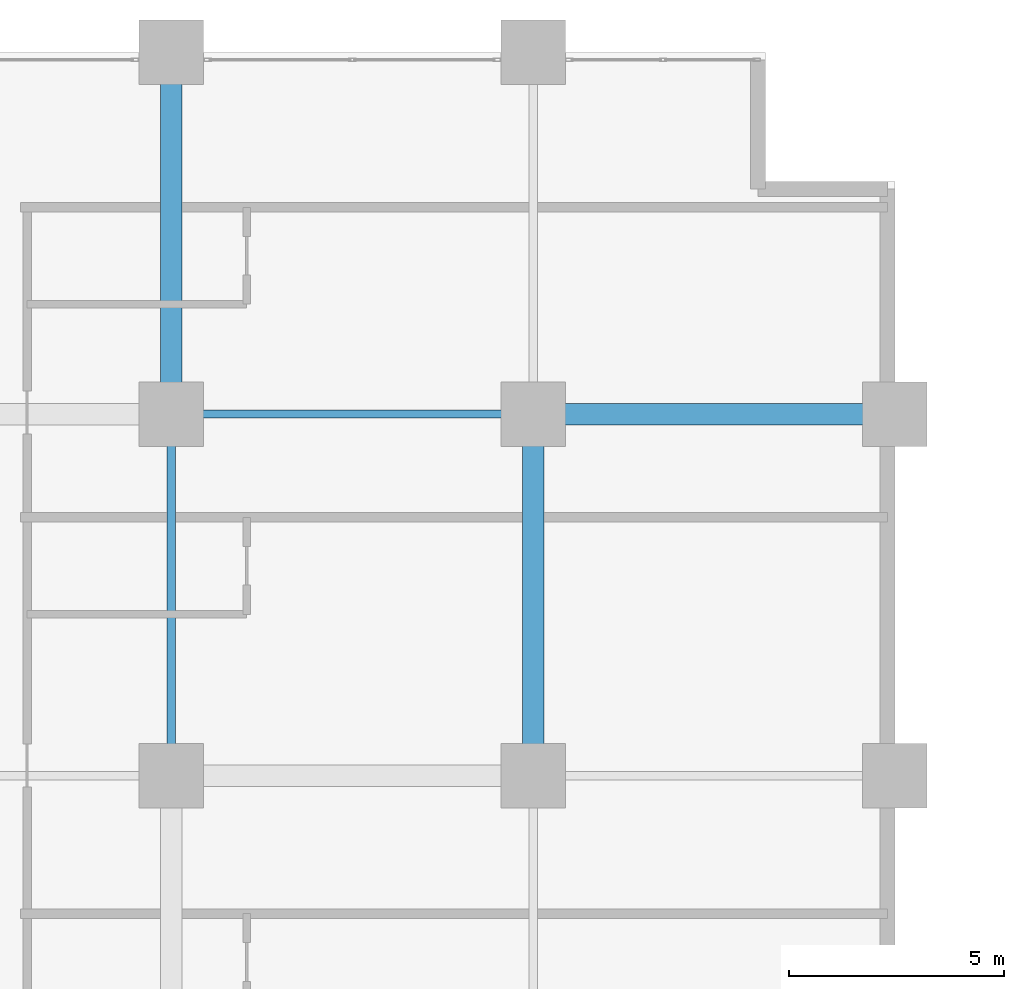
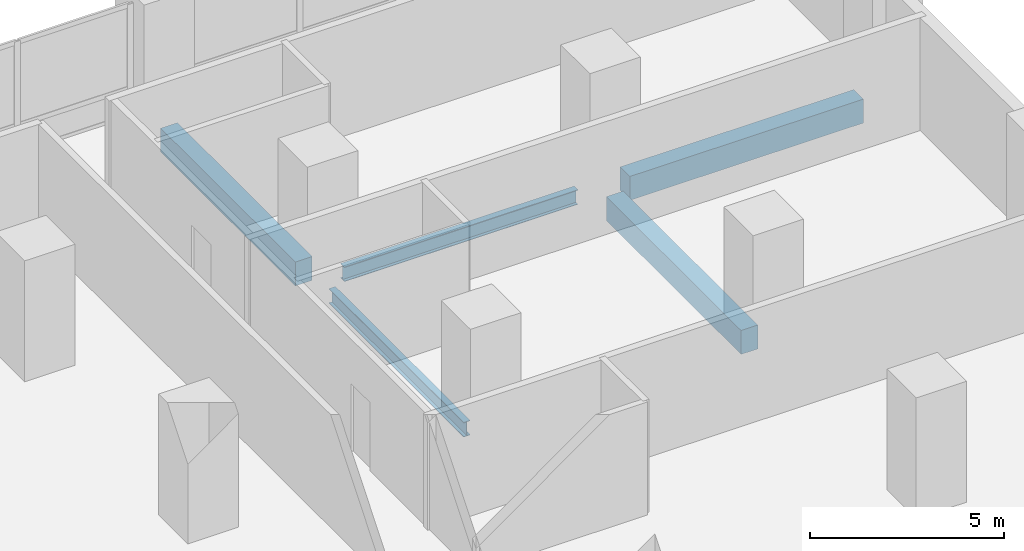
# One storey, part 4 of 21: 5 beams.
"""IFC4 building model written with IfcOpenShell, lengths in metres."""

from ifc_helpers import new_model, si_unit, direction, frame, origin, origin_2d, place, context, subcontext, project, spatial, rectangle, i_section, extrude, material, material_profile, profile_set, type_object, element, save


model = new_model("IFC4")

# Units and contexts
model_context = context("Model", 3, precision=1e-05, world=origin(), true_north=direction((0.0, 1.0)))
body_context = subcontext(model_context, "Body", "Model", "MODEL_VIEW")
ifc_project = project(units=[si_unit("LENGTHUNIT", "METRE"), si_unit("AREAUNIT", "SQUARE_METRE"), si_unit("VOLUMEUNIT", "CUBIC_METRE"), si_unit("PLANEANGLEUNIT", "RADIAN"), si_unit("MASSUNIT", "GRAM", prefix="KILO")], contexts=[model_context])

# Site, building, storey
site_placement = place(None, origin())
site = spatial("IfcSite", under=ifc_project, at=site_placement, CompositionType="ELEMENT")
building_placement = place(site_placement, origin())
building = spatial("IfcBuilding", under=site, at=building_placement, Name="Koriwani Terraces Tower", CompositionType="ELEMENT")
storey_placement = place(building_placement, frame((0.0, 0.0, 77.60009765625)))
storey = spatial("IfcBuildingStorey", under=building, at=storey_placement, Name="L18", CompositionType="ELEMENT", Elevation=77.60009765625)

# Beams
ifc_material_1 = material(Name="Concrete C50/60", Category="concrete")
ifc_material_profile_1 = material_profile(ifc_material_1, rectangle(XDim=0.5, YDim=0.75, at=origin_2d()), Name="Concrete C50/60", Category="LoadBearing")
ifc_profile_set_1 = profile_set([ifc_material_profile_1], Name="Concrete C50/60")
beam_type_1 = type_object("IfcBeamType", Name="BEAM_RC_GRID_500X750", PredefinedType="BEAM", material=ifc_profile_set_1)
beam_placement = place(storey_placement, frame((25.929931640625, 84.0, -0.625), z_axis=(1.0, 0.0, 0.0), x_axis=(0.0, 1.0, 0.0)))
element("IfcBeam", 1, at=beam_placement, inside=storey, type_object=beam_type_1, Name="L18 Grid Beam K (25.2-33.6m)", PredefinedType="BEAM", context=body_context, shape_type="SweptSolid", body=[
    extrude(rectangle(XDim=0.5, YDim=0.75, at=origin_2d()), origin(), (0.0, 0.0, 1.0), 6.940185546875),
])
for number, where, z_axis, x_axis, name in (
    (2, (16.800048828125, 84.72998046875, -0.625), (0.0, 1.0, 0.0), (-1.0, 0.0, 0.0), "L18 Grid Beam 3 (84.0-92.4m)"),
    (3, (25.199951171875, 76.330078125, -0.625), (0.0, 1.0, 0.0), (-1.0, 0.0, 0.0), "L18 Grid Beam 4 (75.6-84.0m)"),
):
    element("IfcBeam", number, at=place(storey_placement, frame(where, z_axis=z_axis, x_axis=x_axis)), inside=storey, type_object=beam_type_1, Name=name, PredefinedType="BEAM", context=body_context, shape_type="SweptSolid", body=[
        extrude(rectangle(XDim=0.5, YDim=0.75, at=origin_2d()), origin(), (0.0, 0.0, 1.0), 6.93994140625),
    ])
ifc_material_2 = material(Name="Steel ASTM A572 Grade 50", Category="steel")
ifc_material_profile_2 = material_profile(ifc_material_2, i_section(OverallWidth=0.193115234375, OverallDepth=0.462890625, WebThickness=0.0107421875, FlangeThickness=0.017333984375, at=origin_2d()), Name="Steel ASTM A572 Grade 50", Category="LoadBearing")
ifc_profile_set_2 = profile_set([ifc_material_profile_2], Name="Steel ASTM A572 Grade 50")
beam_type_2 = type_object("IfcBeamType", Name="STEEL_BEAM_W460X113", PredefinedType="BEAM", material=ifc_profile_set_2)
for number, where, z_axis, x_axis, name in (
    (4, (17.530029296875, 84.0, -0.481689453125), (1.0, 0.0, 0.0), (0.0, 1.0, 0.0), "L18 Grid Beam K (16.8-25.2m)"),
    (5, (16.800048828125, 76.330078125, -0.481689453125), (0.0, 1.0, 0.0), (-1.0, 0.0, 0.0), "L18 Grid Beam 3 (75.6-84.0m)"),
):
    element("IfcBeam", number, at=place(storey_placement, frame(where, z_axis=z_axis, x_axis=x_axis)), inside=storey, type_object=beam_type_2, Name=name, PredefinedType="BEAM", context=body_context, shape_type="SweptSolid", body=[
        extrude(i_section(OverallWidth=0.193115234375, OverallDepth=0.462890625, WebThickness=0.0107421875, FlangeThickness=0.017333984375, at=origin_2d()), origin(), (0.0, 0.0, 1.0), 6.93994140625),
    ])

save(model, "model.ifc")
